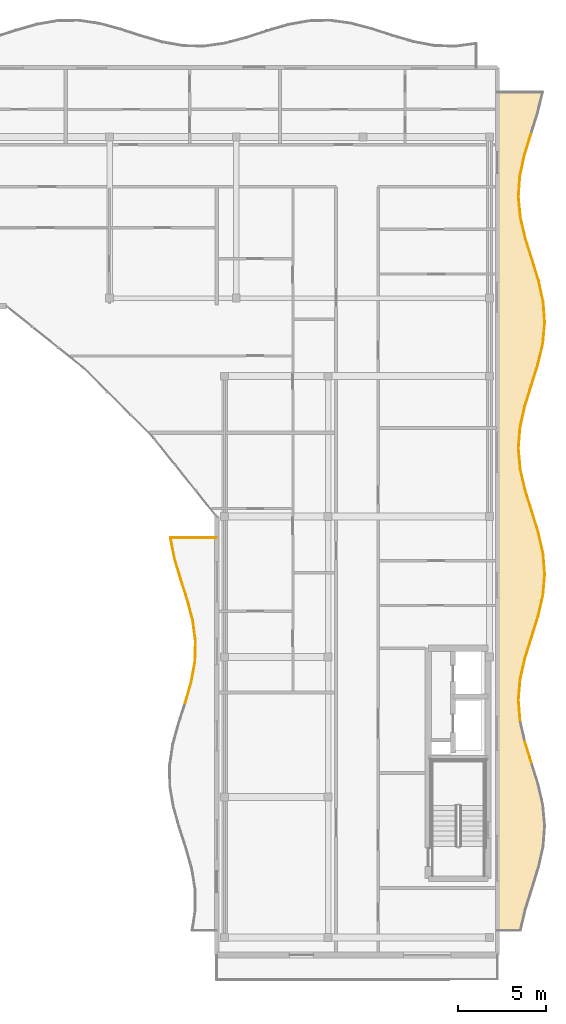
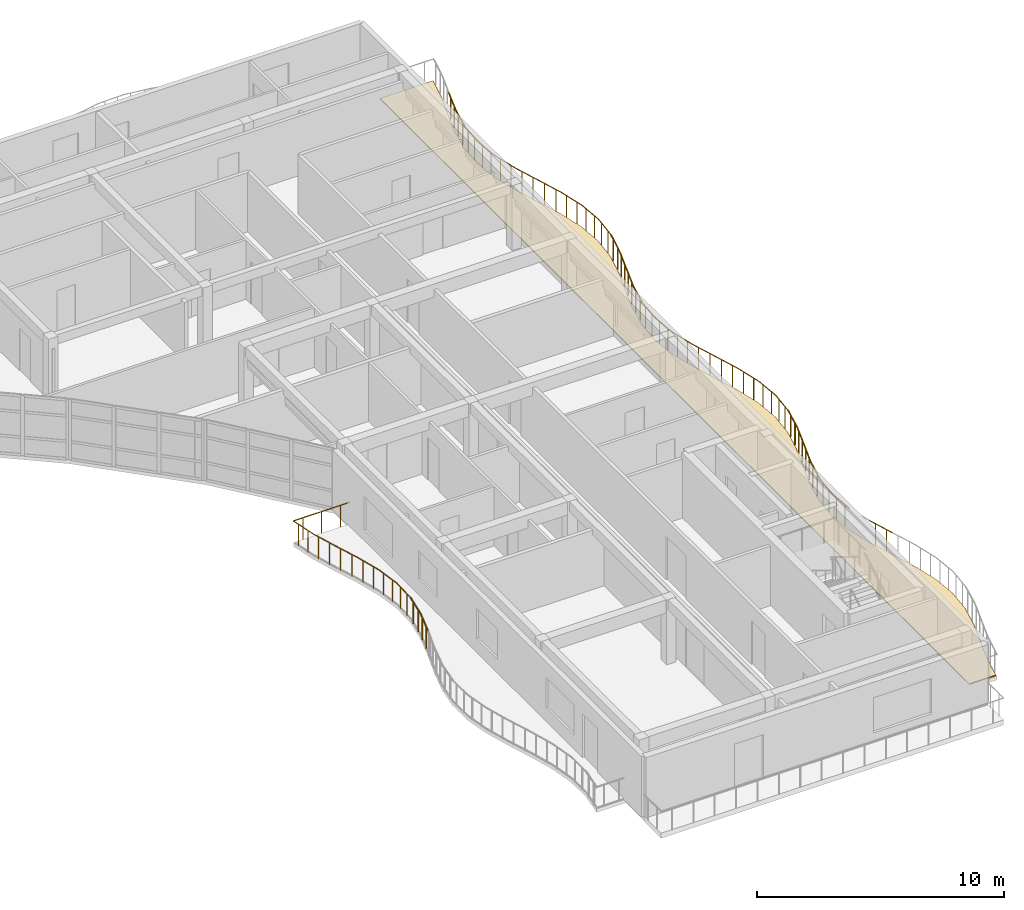
# One storey, part 17 of 18: 38 railings, 1 covering.
"""IFC4 building model written with IfcOpenShell, lengths in metres."""

from ifc_helpers import new_model, si_unit, direction, frame, origin, origin_2d, place, context, subcontext, project, spatial, polyline, circle, outline, extrude, material, layer, layer_set, type_object, element, save


model = new_model("IFC4")

# Units and contexts
model_context = context("Model", 3, precision=1e-05, world=origin(), true_north=direction((0.0, 1.0)))
body_context = subcontext(model_context, "Body", "Model", "MODEL_VIEW")
ifc_project = project(units=[si_unit("LENGTHUNIT", "METRE"), si_unit("AREAUNIT", "SQUARE_METRE"), si_unit("VOLUMEUNIT", "CUBIC_METRE"), si_unit("PLANEANGLEUNIT", "RADIAN"), si_unit("MASSUNIT", "GRAM", prefix="KILO")], contexts=[model_context])

# Site, building, storey
site_placement = place(None, origin())
site = spatial("IfcSite", under=ifc_project, at=site_placement, CompositionType="ELEMENT")
building_placement = place(site_placement, origin())
building = spatial("IfcBuilding", under=site, at=building_placement, Name="Keldmere Railside Commons", CompositionType="ELEMENT")
storey_placement = place(building_placement, frame((0.0, 0.0, 39.360107421875)))
storey = spatial("IfcBuildingStorey", under=building, at=storey_placement, Name="L12", CompositionType="ELEMENT", Elevation=39.360107421875)

# Railings
ifc_material_1 = material(Name="Steel F-24 (S235)", Category="steel")
railing_type = type_object("IfcRailingType", Name="Balcony & Terrace Steel Balustrade 1100", PredefinedType="BALUSTRADE", material=ifc_material_1)
railing_1_placement = place(storey_placement, frame((166.199462890625, 77.368408203125, 0.0)))
element("IfcRailing", 1, at=railing_1_placement, inside=storey, type_object=railing_type, Name="GR-1 GRD-L12-4587", PredefinedType="BALUSTRADE", context=body_context, shape_type="SweptSolid", body=[
    extrude(circle(Radius=0.02392578125, at=origin_2d()), frame((0.0, 0.0, 1.076171875), z_axis=(0.278816111344, 0.960344509046, 0.0), x_axis=(-0.960344509046, 0.278816111344, 0.0)), (0.0, 0.0, 1.0), 1.2275390625),
    extrude(circle(Radius=0.02099609375, at=origin_2d()), frame((0.08544921875, 0.294677734375, 0.0)), (0.0, 0.0, 1.0), 1.048095703125),
    extrude(circle(Radius=0.02099609375, at=origin_2d()), frame((0.2568359375, 0.88427734375, 0.0)), (0.0, 0.0, 1.0), 1.048095703125),
])
railing_2_placement = place(storey_placement, frame((166.541748046875, 78.54736328125, 0.0)))
element("IfcRailing", 2, at=railing_2_placement, inside=storey, type_object=railing_type, Name="GR-1 GRD-L12-4588", PredefinedType="BALUSTRADE", context=body_context, shape_type="SweptSolid", body=[
    extrude(circle(Radius=0.02392578125, at=origin_2d()), frame((0.0, 0.0, 1.076171875), z_axis=(0.179279839473, 0.983798119107, 0.0), x_axis=(-0.983798119107, 0.179279839473, 0.0)), (0.0, 0.0, 1.0), 1.198486328125),
    extrude(circle(Radius=0.02099609375, at=origin_2d()), frame((0.0537109375, 0.294677734375, 0.0)), (0.0, 0.0, 1.0), 1.048095703125),
    extrude(circle(Radius=0.02099609375, at=origin_2d()), frame((0.1611328125, 0.88427734375, 0.0)), (0.0, 0.0, 1.0), 1.048095703125),
])
railing_3_placement = place(storey_placement, frame((166.756591796875, 79.726318359375, 0.0)))
element("IfcRailing", 3, at=railing_3_placement, inside=storey, type_object=railing_type, Name="GR-1 GRD-L12-4589", PredefinedType="BALUSTRADE", context=body_context, shape_type="SweptSolid", body=[
    extrude(circle(Radius=0.02392578125, at=origin_2d()), frame((0.0, 0.0, 1.076171875), z_axis=(0.027324645435, 0.999626612167, 0.0), x_axis=(-0.999626612167, 0.027324645435, 0.0)), (0.0, 0.0, 1.0), 1.179443359375),
    extrude(circle(Radius=0.02099609375, at=origin_2d()), frame((0.008056640625, 0.294677734375, 0.0)), (0.0, 0.0, 1.0), 1.048095703125),
    extrude(circle(Radius=0.02099609375, at=origin_2d()), frame((0.024169921875, 0.88427734375, 0.0)), (0.0, 0.0, 1.0), 1.048095703125),
])
railing_4_placement = place(storey_placement, frame((166.788818359375, 80.9052734375, 0.0)))
element("IfcRailing", 4, at=railing_4_placement, inside=storey, type_object=railing_type, Name="GR-1 GRD-L12-4590", PredefinedType="BALUSTRADE", context=body_context, shape_type="SweptSolid", body=[
    extrude(circle(Radius=0.02392578125, at=origin_2d()), frame((0.0, 0.0, 1.076171875), z_axis=(-0.13380350772, 0.991007881564, 0.0), x_axis=(-0.991007881564, -0.13380350772, 0.0)), (0.0, 0.0, 1.0), 1.189697265625),
    extrude(circle(Radius=0.02099609375, at=origin_2d()), frame((-0.039794921875, 0.294677734375, 0.0)), (0.0, 0.0, 1.0), 1.048095703125),
    extrude(circle(Radius=0.02099609375, at=origin_2d()), frame((-0.119384765625, 0.88427734375, 0.0)), (0.0, 0.0, 1.0), 1.048095703125),
])
railing_5_placement = place(storey_placement, frame((166.629638671875, 82.084228515625, 0.0)))
element("IfcRailing", 5, at=railing_5_placement, inside=storey, type_object=railing_type, Name="GR-1 GRD-L12-4591", PredefinedType="BALUSTRADE", context=body_context, shape_type="SweptSolid", body=[
    extrude(circle(Radius=0.02392578125, at=origin_2d()), frame((0.0, 0.0, 1.076171875), z_axis=(-0.253595933954, 0.967310240968, 0.0), x_axis=(-0.967310240968, -0.253595933954, 0.0)), (0.0, 0.0, 1.0), 1.21875),
    extrude(circle(Radius=0.02099609375, at=origin_2d()), frame((-0.0771484375, 0.294677734375, 0.0)), (0.0, 0.0, 1.0), 1.048095703125),
    extrude(circle(Radius=0.02099609375, at=origin_2d()), frame((-0.23193359375, 0.88427734375, 0.0)), (0.0, 0.0, 1.0), 1.048095703125),
])
railing_6_placement = place(storey_placement, frame((166.320556640625, 83.26318359375, 0.0)))
element("IfcRailing", 6, at=railing_6_placement, inside=storey, type_object=railing_type, Name="GR-1 GRD-L12-4592", PredefinedType="BALUSTRADE", context=body_context, shape_type="SweptSolid", body=[
    extrude(circle(Radius=0.02392578125, at=origin_2d()), frame((0.0, 0.0, 1.076171875), z_axis=(-0.306155948031, 0.951981373497, 0.0), x_axis=(-0.951981373497, -0.306155948031, 0.0)), (0.0, 0.0, 1.0), 1.238525390625),
    extrude(circle(Radius=0.02099609375, at=origin_2d()), frame((-0.0947265625, 0.294677734375, 0.0)), (0.0, 0.0, 1.0), 1.048095703125),
    extrude(circle(Radius=0.02099609375, at=origin_2d()), frame((-0.284423828125, 0.88427734375, 0.0)), (0.0, 0.0, 1.0), 1.048095703125),
])
railing_7_placement = place(storey_placement, frame((165.94140625, 84.442138671875, 0.0)))
element("IfcRailing", 7, at=railing_7_placement, inside=storey, type_object=railing_type, Name="GR-1 GRD-L12-4593", PredefinedType="BALUSTRADE", context=body_context, shape_type="SweptSolid", body=[
    extrude(circle(Radius=0.02392578125, at=origin_2d()), frame((0.0, 0.0, 1.076171875), z_axis=(-0.285581301492, 0.958354485688, 0.0), x_axis=(-0.958354485688, -0.285581301492, 0.0)), (0.0, 0.0, 1.0), 1.230224609375),
    extrude(circle(Radius=0.02099609375, at=origin_2d()), frame((-0.087890625, 0.294677734375, 0.0)), (0.0, 0.0, 1.0), 1.048095703125),
    extrude(circle(Radius=0.02099609375, at=origin_2d()), frame((-0.263427734375, 0.88427734375, 0.0)), (0.0, 0.0, 1.0), 1.048095703125),
])
railing_8_placement = place(storey_placement, frame((165.590087890625, 85.62109375, 0.0)))
element("IfcRailing", 8, at=railing_8_placement, inside=storey, type_object=railing_type, Name="GR-1 GRD-L12-4594", PredefinedType="BALUSTRADE", context=body_context, shape_type="SweptSolid", body=[
    extrude(circle(Radius=0.02392578125, at=origin_2d()), frame((0.0, 0.0, 1.076171875), z_axis=(-0.193028273975, 0.981193194762, 0.0), x_axis=(-0.981193194762, -0.193028273975, 0.0)), (0.0, 0.0, 1.0), 1.20166015625),
    extrude(circle(Radius=0.02099609375, at=origin_2d()), frame((-0.05810546875, 0.294677734375, 0.0)), (0.0, 0.0, 1.0), 1.048095703125),
    extrude(circle(Radius=0.02099609375, at=origin_2d()), frame((-0.173828125, 0.88427734375, 0.0)), (0.0, 0.0, 1.0), 1.048095703125),
])
railing_9_placement = place(storey_placement, frame((165.358154296875, 86.800048828125, 0.0)))
element("IfcRailing", 9, at=railing_9_placement, inside=storey, type_object=railing_type, Name="GR-1 GRD-L12-4595", PredefinedType="BALUSTRADE", context=body_context, shape_type="SweptSolid", body=[
    extrude(circle(Radius=0.02392578125, at=origin_2d()), frame((0.0, 0.0, 1.076171875), z_axis=(1.0, 0.0, 0.0), x_axis=(0.0, 1.0, 0.0)), (0.0, 0.0, 1.0), 2.641845703125),
    extrude(circle(Radius=0.02099609375, at=origin_2d()), frame((0.4404296875, 0.0, 0.0)), (0.0, 0.0, 1.0), 1.048095703125),
    extrude(circle(Radius=0.02099609375, at=origin_2d()), frame((1.32080078125, 0.0, 0.0)), (0.0, 0.0, 1.0), 1.048095703125),
    extrude(circle(Radius=0.02099609375, at=origin_2d()), frame((2.20166015625, 0.0, 0.0)), (0.0, 0.0, 1.0), 1.048095703125),
])
railing_10_placement = place(storey_placement, frame((185.93994140625, 73.9599609375, 0.0)))
element("IfcRailing", 10, at=railing_10_placement, inside=storey, type_object=railing_type, Name="GR-1 GRD-L12-4605", PredefinedType="BALUSTRADE", context=body_context, shape_type="SweptSolid", body=[
    extrude(circle(Radius=0.02392578125, at=origin_2d()), frame((0.0, 0.0, 1.076171875), z_axis=(-0.297264148362, 0.95479527968, 0.0), x_axis=(-0.95479527968, -0.297264148362, 0.0)), (0.0, 0.0, 1.0), 1.251708984375),
    extrude(circle(Radius=0.02099609375, at=origin_2d()), frame((-0.093017578125, 0.298828125, 0.0)), (0.0, 0.0, 1.0), 1.048095703125),
    extrude(circle(Radius=0.02099609375, at=origin_2d()), frame((-0.279052734375, 0.896240234375, 0.0)), (0.0, 0.0, 1.0), 1.048095703125),
])
railing_11_placement = place(storey_placement, frame((185.297119140625, 76.35009765625, 0.0)))
element("IfcRailing", 11, at=railing_11_placement, inside=storey, type_object=railing_type, Name="GR-1 GRD-L12-4607", PredefinedType="BALUSTRADE", context=body_context, shape_type="SweptSolid", body=[
    extrude(circle(Radius=0.02392578125, at=origin_2d()), frame((0.0, 0.0, 1.076171875), z_axis=(-0.081056474277, 0.996709510328, 0.0), x_axis=(-0.996709510328, -0.081056474277, 0.0)), (0.0, 0.0, 1.0), 1.19873046875),
    extrude(circle(Radius=0.02099609375, at=origin_2d()), frame((-0.0244140625, 0.298828125, 0.0)), (0.0, 0.0, 1.0), 1.048095703125),
    extrude(circle(Radius=0.02099609375, at=origin_2d()), frame((-0.07275390625, 0.89599609375, 0.0)), (0.0, 0.0, 1.0), 1.048095703125),
])
railing_12_placement = place(storey_placement, frame((185.199951171875, 77.544921875, 0.0)))
element("IfcRailing", 12, at=railing_12_placement, inside=storey, type_object=railing_type, Name="GR-1 GRD-L12-4608", PredefinedType="BALUSTRADE", context=body_context, shape_type="SweptSolid", body=[
    extrude(circle(Radius=0.02392578125, at=origin_2d()), frame((0.0, 0.0, 1.076171875), z_axis=(0.085285677209, 0.996356539228, 0.0), x_axis=(-0.996356539228, 0.085285677209, 0.0)), (0.0, 0.0, 1.0), 1.199462890625),
    extrude(circle(Radius=0.02099609375, at=origin_2d()), frame((0.025634765625, 0.298828125, 0.0)), (0.0, 0.0, 1.0), 1.048095703125),
    extrude(circle(Radius=0.02099609375, at=origin_2d()), frame((0.07666015625, 0.896240234375, 0.0)), (0.0, 0.0, 1.0), 1.048095703125),
])
railing_13_placement = place(storey_placement, frame((185.30224609375, 78.739990234375, 0.0)))
element("IfcRailing", 13, at=railing_13_placement, inside=storey, type_object=railing_type, Name="GR-1 GRD-L12-4609", PredefinedType="BALUSTRADE", context=body_context, shape_type="SweptSolid", body=[
    extrude(circle(Radius=0.02392578125, at=origin_2d()), frame((0.0, 0.0, 1.076171875), z_axis=(0.223797834687, 0.974635587894, 0.0), x_axis=(-0.974635587894, 0.223797834687, 0.0)), (0.0, 0.0, 1.0), 1.22607421875),
    extrude(circle(Radius=0.02099609375, at=origin_2d()), frame((0.068603515625, 0.298828125, 0.0)), (0.0, 0.0, 1.0), 1.048095703125),
    extrude(circle(Radius=0.02099609375, at=origin_2d()), frame((0.205810546875, 0.896240234375, 0.0)), (0.0, 0.0, 1.0), 1.048095703125),
])
railing_14_placement = place(storey_placement, frame((185.57666015625, 79.93505859375, 0.0)))
element("IfcRailing", 14, at=railing_14_placement, inside=storey, type_object=railing_type, Name="GR-1 GRD-L12-4610", PredefinedType="BALUSTRADE", context=body_context, shape_type="SweptSolid", body=[
    extrude(circle(Radius=0.02392578125, at=origin_2d()), frame((0.0, 0.0, 1.076171875), z_axis=(0.298386036557, 0.954445269876, 0.0), x_axis=(-0.954445269876, 0.298386036557, 0.0)), (0.0, 0.0, 1.0), 1.251953125),
    extrude(circle(Radius=0.02099609375, at=origin_2d()), frame((0.09326171875, 0.298828125, 0.0)), (0.0, 0.0, 1.0), 1.048095703125),
    extrude(circle(Radius=0.02099609375, at=origin_2d()), frame((0.2802734375, 0.89599609375, 0.0)), (0.0, 0.0, 1.0), 1.048095703125),
])
railing_15_placement = place(storey_placement, frame((185.9501953125, 81.1298828125, 0.0)))
element("IfcRailing", 15, at=railing_15_placement, inside=storey, type_object=railing_type, Name="GR-1 GRD-L12-4611", PredefinedType="BALUSTRADE", context=body_context, shape_type="SweptSolid", body=[
    extrude(circle(Radius=0.02392578125, at=origin_2d()), frame((0.0, 0.0, 1.076171875), z_axis=(0.298330505018, 0.9544626288, 0.0), x_axis=(-0.9544626288, 0.298330505018, 0.0)), (0.0, 0.0, 1.0), 1.252197265625),
    extrude(circle(Radius=0.02099609375, at=origin_2d()), frame((0.09326171875, 0.298828125, 0.0)), (0.0, 0.0, 1.0), 1.048095703125),
    extrude(circle(Radius=0.02099609375, at=origin_2d()), frame((0.2802734375, 0.896240234375, 0.0)), (0.0, 0.0, 1.0), 1.048095703125),
])
railing_16_placement = place(storey_placement, frame((186.32373046875, 82.324951171875, 0.0)))
element("IfcRailing", 16, at=railing_16_placement, inside=storey, type_object=railing_type, Name="GR-1 GRD-L12-4612", PredefinedType="BALUSTRADE", context=body_context, shape_type="SweptSolid", body=[
    extrude(circle(Radius=0.02392578125, at=origin_2d()), frame((0.0, 0.0, 1.076171875), z_axis=(0.223608686092, 0.974679001264, 0.0), x_axis=(-0.974679001264, 0.223608686092, 0.0)), (0.0, 0.0, 1.0), 1.22607421875),
    extrude(circle(Radius=0.02099609375, at=origin_2d()), frame((0.068603515625, 0.298828125, 0.0)), (0.0, 0.0, 1.0), 1.048095703125),
    extrude(circle(Radius=0.02099609375, at=origin_2d()), frame((0.20556640625, 0.896240234375, 0.0)), (0.0, 0.0, 1.0), 1.048095703125),
])
railing_17_placement = place(storey_placement, frame((186.597900390625, 83.52001953125, 0.0)))
element("IfcRailing", 17, at=railing_17_placement, inside=storey, type_object=railing_type, Name="GR-1 GRD-L12-4613", PredefinedType="BALUSTRADE", context=body_context, shape_type="SweptSolid", body=[
    extrude(circle(Radius=0.02392578125, at=origin_2d()), frame((0.0, 0.0, 1.076171875), z_axis=(0.085083606702, 0.996373815328, 0.0), x_axis=(-0.996373815328, 0.085083606702, 0.0)), (0.0, 0.0, 1.0), 1.199462890625),
    extrude(circle(Radius=0.02099609375, at=origin_2d()), frame((0.025390625, 0.298828125, 0.0)), (0.0, 0.0, 1.0), 1.048095703125),
    extrude(circle(Radius=0.02099609375, at=origin_2d()), frame((0.07666015625, 0.896240234375, 0.0)), (0.0, 0.0, 1.0), 1.048095703125),
])
railing_18_placement = place(storey_placement, frame((186.699951171875, 84.715087890625, 0.0)))
element("IfcRailing", 18, at=railing_18_placement, inside=storey, type_object=railing_type, Name="GR-1 GRD-L12-4614", PredefinedType="BALUSTRADE", context=body_context, shape_type="SweptSolid", body=[
    extrude(circle(Radius=0.02392578125, at=origin_2d()), frame((0.0, 0.0, 1.076171875), z_axis=(-0.081056474277, 0.996709510328, 0.0), x_axis=(-0.996709510328, -0.081056474277, 0.0)), (0.0, 0.0, 1.0), 1.19873046875),
    extrude(circle(Radius=0.02099609375, at=origin_2d()), frame((-0.0244140625, 0.298828125, 0.0)), (0.0, 0.0, 1.0), 1.048095703125),
    extrude(circle(Radius=0.02099609375, at=origin_2d()), frame((-0.07275390625, 0.89599609375, 0.0)), (0.0, 0.0, 1.0), 1.048095703125),
])
railing_19_placement = place(storey_placement, frame((186.602783203125, 85.909912109375, 0.0)))
element("IfcRailing", 19, at=railing_19_placement, inside=storey, type_object=railing_type, Name="GR-1 GRD-L12-4615", PredefinedType="BALUSTRADE", context=body_context, shape_type="SweptSolid", body=[
    extrude(circle(Radius=0.02392578125, at=origin_2d()), frame((0.0, 0.0, 1.076171875), z_axis=(-0.221147461229, 0.975240380825, 0.0), x_axis=(-0.975240380825, -0.221147461229, 0.0)), (0.0, 0.0, 1.0), 1.225341796875),
    extrude(circle(Radius=0.02099609375, at=origin_2d()), frame((-0.06787109375, 0.298828125, 0.0)), (0.0, 0.0, 1.0), 1.048095703125),
    extrude(circle(Radius=0.02099609375, at=origin_2d()), frame((-0.203125, 0.896240234375, 0.0)), (0.0, 0.0, 1.0), 1.048095703125),
])
railing_20_placement = place(storey_placement, frame((186.331787109375, 87.10498046875, 0.0)))
element("IfcRailing", 20, at=railing_20_placement, inside=storey, type_object=railing_type, Name="GR-1 GRD-L12-4616", PredefinedType="BALUSTRADE", context=body_context, shape_type="SweptSolid", body=[
    extrude(circle(Radius=0.02392578125, at=origin_2d()), frame((0.0, 0.0, 1.076171875), z_axis=(-0.297264148362, 0.95479527968, 0.0), x_axis=(-0.95479527968, -0.297264148362, 0.0)), (0.0, 0.0, 1.0), 1.251708984375),
    extrude(circle(Radius=0.02099609375, at=origin_2d()), frame((-0.093017578125, 0.298828125, 0.0)), (0.0, 0.0, 1.0), 1.048095703125),
    extrude(circle(Radius=0.02099609375, at=origin_2d()), frame((-0.279052734375, 0.896240234375, 0.0)), (0.0, 0.0, 1.0), 1.048095703125),
])
railing_21_placement = place(storey_placement, frame((185.959716796875, 88.300048828125, 0.0)))
element("IfcRailing", 21, at=railing_21_placement, inside=storey, type_object=railing_type, Name="GR-1 GRD-L12-4617", PredefinedType="BALUSTRADE", context=body_context, shape_type="SweptSolid", body=[
    extrude(circle(Radius=0.02392578125, at=origin_2d()), frame((0.0, 0.0, 1.076171875), z_axis=(-0.299395745708, 0.954129020338, 0.0), x_axis=(-0.954129020338, -0.299395745708, 0.0)), (0.0, 0.0, 1.0), 1.25244140625),
    extrude(circle(Radius=0.02099609375, at=origin_2d()), frame((-0.09375, 0.298828125, 0.0)), (0.0, 0.0, 1.0), 1.048095703125),
    extrude(circle(Radius=0.02099609375, at=origin_2d()), frame((-0.28125, 0.896240234375, 0.0)), (0.0, 0.0, 1.0), 1.048095703125),
])
railing_22_placement = place(storey_placement, frame((185.584716796875, 89.4951171875, 0.0)))
element("IfcRailing", 22, at=railing_22_placement, inside=storey, type_object=railing_type, Name="GR-1 GRD-L12-4618", PredefinedType="BALUSTRADE", context=body_context, shape_type="SweptSolid", body=[
    extrude(circle(Radius=0.02392578125, at=origin_2d()), frame((0.0, 0.0, 1.076171875), z_axis=(-0.226487148912, 0.974014153582, 0.0), x_axis=(-0.974014153582, -0.226487148912, 0.0)), (0.0, 0.0, 1.0), 1.226806640625),
    extrude(circle(Radius=0.02099609375, at=origin_2d()), frame((-0.0693359375, 0.298828125, 0.0)), (0.0, 0.0, 1.0), 1.048095703125),
    extrude(circle(Radius=0.02099609375, at=origin_2d()), frame((-0.20849609375, 0.89599609375, 0.0)), (0.0, 0.0, 1.0), 1.048095703125),
])
railing_23_placement = place(storey_placement, frame((185.306884765625, 90.68994140625, 0.0)))
element("IfcRailing", 23, at=railing_23_placement, inside=storey, type_object=railing_type, Name="GR-1 GRD-L12-4619", PredefinedType="BALUSTRADE", context=body_context, shape_type="SweptSolid", body=[
    extrude(circle(Radius=0.02392578125, at=origin_2d()), frame((0.0, 0.0, 1.076171875), z_axis=(-0.088921123423, 0.99603867084, 0.0), x_axis=(-0.99603867084, -0.088921123423, 0.0)), (0.0, 0.0, 1.0), 1.19970703125),
    extrude(circle(Radius=0.02099609375, at=origin_2d()), frame((-0.026611328125, 0.298828125, 0.0)), (0.0, 0.0, 1.0), 1.048095703125),
    extrude(circle(Radius=0.02099609375, at=origin_2d()), frame((-0.080078125, 0.896240234375, 0.0)), (0.0, 0.0, 1.0), 1.048095703125),
])
railing_24_placement = place(storey_placement, frame((185.2001953125, 91.885009765625, 0.0)))
element("IfcRailing", 24, at=railing_24_placement, inside=storey, type_object=railing_type, Name="GR-1 GRD-L12-4620", PredefinedType="BALUSTRADE", context=body_context, shape_type="SweptSolid", body=[
    extrude(circle(Radius=0.02392578125, at=origin_2d()), frame((0.0, 0.0, 1.076171875), z_axis=(0.076992435931, 0.997031676934, 0.0), x_axis=(-0.997031676934, 0.076992435931, 0.0)), (0.0, 0.0, 1.0), 1.19873046875),
    extrude(circle(Radius=0.02099609375, at=origin_2d()), frame((0.02294921875, 0.298828125, 0.0)), (0.0, 0.0, 1.0), 1.048095703125),
    extrude(circle(Radius=0.02099609375, at=origin_2d()), frame((0.0693359375, 0.896240234375, 0.0)), (0.0, 0.0, 1.0), 1.048095703125),
])
railing_25_placement = place(storey_placement, frame((185.29248046875, 93.080078125, 0.0)))
element("IfcRailing", 25, at=railing_25_placement, inside=storey, type_object=railing_type, Name="GR-1 GRD-L12-4621", PredefinedType="BALUSTRADE", context=body_context, shape_type="SweptSolid", body=[
    extrude(circle(Radius=0.02392578125, at=origin_2d()), frame((0.0, 0.0, 1.076171875), z_axis=(0.218344808836, 0.975871684421, 0.0), x_axis=(-0.975871684421, 0.218344808836, 0.0)), (0.0, 0.0, 1.0), 1.224365234375),
    extrude(circle(Radius=0.02099609375, at=origin_2d()), frame((0.06689453125, 0.298828125, 0.0)), (0.0, 0.0, 1.0), 1.048095703125),
    extrude(circle(Radius=0.02099609375, at=origin_2d()), frame((0.200439453125, 0.89599609375, 0.0)), (0.0, 0.0, 1.0), 1.048095703125),
])
railing_26_placement = place(storey_placement, frame((185.559814453125, 94.27490234375, 0.0)))
element("IfcRailing", 26, at=railing_26_placement, inside=storey, type_object=railing_type, Name="GR-1 GRD-L12-4622", PredefinedType="BALUSTRADE", context=body_context, shape_type="SweptSolid", body=[
    extrude(circle(Radius=0.02392578125, at=origin_2d()), frame((0.0, 0.0, 1.076171875), z_axis=(0.296374667099, 0.95507175474, 0.0), x_axis=(-0.95507175474, 0.296374667099, 0.0)), (0.0, 0.0, 1.0), 1.251220703125),
    extrude(circle(Radius=0.02099609375, at=origin_2d()), frame((0.0927734375, 0.298828125, 0.0)), (0.0, 0.0, 1.0), 1.048095703125),
    extrude(circle(Radius=0.02099609375, at=origin_2d()), frame((0.278076171875, 0.896240234375, 0.0)), (0.0, 0.0, 1.0), 1.048095703125),
])
railing_27_placement = place(storey_placement, frame((185.9306640625, 95.469970703125, 0.0)))
element("IfcRailing", 27, at=railing_27_placement, inside=storey, type_object=railing_type, Name="GR-1 GRD-L12-4623", PredefinedType="BALUSTRADE", context=body_context, shape_type="SweptSolid", body=[
    extrude(circle(Radius=0.02392578125, at=origin_2d()), frame((0.0, 0.0, 1.076171875), z_axis=(0.300105284991, 0.953906084434, 0.0), x_axis=(-0.953906084434, 0.300105284991, 0.0)), (0.0, 0.0, 1.0), 1.2529296875),
    extrude(circle(Radius=0.02099609375, at=origin_2d()), frame((0.093994140625, 0.298828125, 0.0)), (0.0, 0.0, 1.0), 1.048095703125),
    extrude(circle(Radius=0.02099609375, at=origin_2d()), frame((0.281982421875, 0.896240234375, 0.0)), (0.0, 0.0, 1.0), 1.048095703125),
])
railing_28_placement = place(storey_placement, frame((186.306640625, 96.6650390625, 0.0)))
element("IfcRailing", 28, at=railing_28_placement, inside=storey, type_object=railing_type, Name="GR-1 GRD-L12-4624", PredefinedType="BALUSTRADE", context=body_context, shape_type="SweptSolid", body=[
    extrude(circle(Radius=0.02392578125, at=origin_2d()), frame((0.0, 0.0, 1.076171875), z_axis=(0.229083668897, 0.973406735463, 0.0), x_axis=(-0.973406735463, 0.229083668897, 0.0)), (0.0, 0.0, 1.0), 1.227783203125),
    extrude(circle(Radius=0.02099609375, at=origin_2d()), frame((0.0703125, 0.298828125, 0.0)), (0.0, 0.0, 1.0), 1.048095703125),
    extrude(circle(Radius=0.02099609375, at=origin_2d()), frame((0.2109375, 0.896240234375, 0.0)), (0.0, 0.0, 1.0), 1.048095703125),
])
railing_29_placement = place(storey_placement, frame((186.587890625, 97.860107421875, 0.0)))
element("IfcRailing", 29, at=railing_29_placement, inside=storey, type_object=railing_type, Name="GR-1 GRD-L12-4625", PredefinedType="BALUSTRADE", context=body_context, shape_type="SweptSolid", body=[
    extrude(circle(Radius=0.02392578125, at=origin_2d()), frame((0.0, 0.0, 1.076171875), z_axis=(0.09317685022, 0.995649574189, 0.0), x_axis=(-0.995649574189, 0.09317685022, 0.0)), (0.0, 0.0, 1.0), 1.199951171875),
    extrude(circle(Radius=0.02099609375, at=origin_2d()), frame((0.02783203125, 0.298828125, 0.0)), (0.0, 0.0, 1.0), 1.048095703125),
    extrude(circle(Radius=0.02099609375, at=origin_2d()), frame((0.083984375, 0.89599609375, 0.0)), (0.0, 0.0, 1.0), 1.048095703125),
])
railing_30_placement = place(storey_placement, frame((186.69970703125, 99.054931640625, 0.0)))
element("IfcRailing", 30, at=railing_30_placement, inside=storey, type_object=railing_type, Name="GR-1 GRD-L12-4626", PredefinedType="BALUSTRADE", context=body_context, shape_type="SweptSolid", body=[
    extrude(circle(Radius=0.02392578125, at=origin_2d()), frame((0.0, 0.0, 1.076171875), z_axis=(-0.073143695015, 0.997321412524, 0.0), x_axis=(-0.997321412524, -0.073143695015, 0.0)), (0.0, 0.0, 1.0), 1.1982421875),
    extrude(circle(Radius=0.02099609375, at=origin_2d()), frame((-0.02197265625, 0.298828125, 0.0)), (0.0, 0.0, 1.0), 1.048095703125),
    extrude(circle(Radius=0.02099609375, at=origin_2d()), frame((-0.065673828125, 0.896240234375, 0.0)), (0.0, 0.0, 1.0), 1.048095703125),
])
railing_31_placement = place(storey_placement, frame((186.612060546875, 100.25, 0.0)))
element("IfcRailing", 31, at=railing_31_placement, inside=storey, type_object=railing_type, Name="GR-1 GRD-L12-4627", PredefinedType="BALUSTRADE", context=body_context, shape_type="SweptSolid", body=[
    extrude(circle(Radius=0.02392578125, at=origin_2d()), frame((0.0, 0.0, 1.076171875), z_axis=(-0.215261375242, 0.97655647063, 0.0), x_axis=(-0.97655647063, -0.215261375242, 0.0)), (0.0, 0.0, 1.0), 1.223876953125),
    extrude(circle(Radius=0.02099609375, at=origin_2d()), frame((-0.06591796875, 0.298828125, 0.0)), (0.0, 0.0, 1.0), 1.048095703125),
    extrude(circle(Radius=0.02099609375, at=origin_2d()), frame((-0.197509765625, 0.896240234375, 0.0)), (0.0, 0.0, 1.0), 1.048095703125),
])
railing_32_placement = place(storey_placement, frame((186.3486328125, 101.445068359375, 0.0)))
element("IfcRailing", 32, at=railing_32_placement, inside=storey, type_object=railing_type, Name="GR-1 GRD-L12-4628", PredefinedType="BALUSTRADE", context=body_context, shape_type="SweptSolid", body=[
    extrude(circle(Radius=0.02392578125, at=origin_2d()), frame((0.0, 0.0, 1.076171875), z_axis=(-0.29536134781, 0.955385615456, 0.0), x_axis=(-0.955385615456, -0.29536134781, 0.0)), (0.0, 0.0, 1.0), 1.250732421875),
    extrude(circle(Radius=0.02099609375, at=origin_2d()), frame((-0.09228515625, 0.298828125, 0.0)), (0.0, 0.0, 1.0), 1.048095703125),
    extrude(circle(Radius=0.02099609375, at=origin_2d()), frame((-0.277099609375, 0.89599609375, 0.0)), (0.0, 0.0, 1.0), 1.048095703125),
])
railing_33_placement = place(storey_placement, frame((185.979248046875, 102.639892578125, 0.0)))
element("IfcRailing", 33, at=railing_33_placement, inside=storey, type_object=railing_type, Name="GR-1 GRD-L12-4629", PredefinedType="BALUSTRADE", context=body_context, shape_type="SweptSolid", body=[
    extrude(circle(Radius=0.02392578125, at=origin_2d()), frame((0.0, 0.0, 1.076171875), z_axis=(-0.300991509017, 0.95362681983, 0.0), x_axis=(-0.95362681983, -0.300991509017, 0.0)), (0.0, 0.0, 1.0), 1.253173828125),
    extrude(circle(Radius=0.02099609375, at=origin_2d()), frame((-0.09423828125, 0.298828125, 0.0)), (0.0, 0.0, 1.0), 1.048095703125),
    extrude(circle(Radius=0.02099609375, at=origin_2d()), frame((-0.282958984375, 0.896240234375, 0.0)), (0.0, 0.0, 1.0), 1.048095703125),
])
railing_34_placement = place(storey_placement, frame((185.60205078125, 103.8349609375, 0.0)))
element("IfcRailing", 34, at=railing_34_placement, inside=storey, type_object=railing_type, Name="GR-1 GRD-L12-4630", PredefinedType="BALUSTRADE", context=body_context, shape_type="SweptSolid", body=[
    extrude(circle(Radius=0.02392578125, at=origin_2d()), frame((0.0, 0.0, 1.076171875), z_axis=(-0.23171903814, 0.972782754454, 0.0), x_axis=(-0.972782754454, -0.23171903814, 0.0)), (0.0, 0.0, 1.0), 1.228515625),
    extrude(circle(Radius=0.02099609375, at=origin_2d()), frame((-0.0712890625, 0.298828125, 0.0)), (0.0, 0.0, 1.0), 1.048095703125),
    extrude(circle(Radius=0.02099609375, at=origin_2d()), frame((-0.21337890625, 0.896240234375, 0.0)), (0.0, 0.0, 1.0), 1.048095703125),
])
railing_35_placement = place(storey_placement, frame((185.3173828125, 105.030029296875, 0.0)))
element("IfcRailing", 35, at=railing_35_placement, inside=storey, type_object=railing_type, Name="GR-1 GRD-L12-4631", PredefinedType="BALUSTRADE", context=body_context, shape_type="SweptSolid", body=[
    extrude(circle(Radius=0.02392578125, at=origin_2d()), frame((0.0, 0.0, 1.076171875), z_axis=(-0.097188386036, 0.995266003448, 0.0), x_axis=(-0.995266003448, -0.097188386036, 0.0)), (0.0, 0.0, 1.0), 1.20068359375),
    extrude(circle(Radius=0.02099609375, at=origin_2d()), frame((-0.029296875, 0.298828125, 0.0)), (0.0, 0.0, 1.0), 1.048095703125),
    extrude(circle(Radius=0.02099609375, at=origin_2d()), frame((-0.08740234375, 0.896240234375, 0.0)), (0.0, 0.0, 1.0), 1.048095703125),
])
railing_36_placement = place(storey_placement, frame((185.20068359375, 106.22509765625, 0.0)))
element("IfcRailing", 36, at=railing_36_placement, inside=storey, type_object=railing_type, Name="GR-1 GRD-L12-4632", PredefinedType="BALUSTRADE", context=body_context, shape_type="SweptSolid", body=[
    extrude(circle(Radius=0.02392578125, at=origin_2d()), frame((0.0, 0.0, 1.076171875), z_axis=(0.068900033981, 0.997623568946, 0.0), x_axis=(-0.997623568946, 0.068900033981, 0.0)), (0.0, 0.0, 1.0), 1.19775390625),
    extrude(circle(Radius=0.02099609375, at=origin_2d()), frame((0.0205078125, 0.298828125, 0.0)), (0.0, 0.0, 1.0), 1.048095703125),
    extrude(circle(Radius=0.02099609375, at=origin_2d()), frame((0.06201171875, 0.89599609375, 0.0)), (0.0, 0.0, 1.0), 1.048095703125),
])
railing_37_placement = place(storey_placement, frame((185.283203125, 107.419921875, 0.0)))
element("IfcRailing", 37, at=railing_37_placement, inside=storey, type_object=railing_type, Name="GR-1 GRD-L12-4633", PredefinedType="BALUSTRADE", context=body_context, shape_type="SweptSolid", body=[
    extrude(circle(Radius=0.02392578125, at=origin_2d()), frame((0.0, 0.0, 1.076171875), z_axis=(0.212595390804, 0.977140317359, 0.0), x_axis=(-0.977140317359, 0.212595390804, 0.0)), (0.0, 0.0, 1.0), 1.22314453125),
    extrude(circle(Radius=0.02099609375, at=origin_2d()), frame((0.06494140625, 0.298828125, 0.0)), (0.0, 0.0, 1.0), 1.048095703125),
    extrude(circle(Radius=0.02099609375, at=origin_2d()), frame((0.195068359375, 0.896240234375, 0.0)), (0.0, 0.0, 1.0), 1.048095703125),
])
railing_38_placement = place(storey_placement, frame((185.543212890625, 108.614990234375, 0.0)))
element("IfcRailing", 38, at=railing_38_placement, inside=storey, type_object=railing_type, Name="GR-1 GRD-L12-4634", PredefinedType="BALUSTRADE", context=body_context, shape_type="SweptSolid", body=[
    extrude(circle(Radius=0.02392578125, at=origin_2d()), frame((0.0, 0.0, 1.076171875), z_axis=(0.294058407065, 0.955787451913, 0.0), x_axis=(-0.955787451913, 0.294058407065, 0.0)), (0.0, 0.0, 1.0), 1.250244140625),
    extrude(circle(Radius=0.02099609375, at=origin_2d()), frame((0.091796875, 0.298828125, 0.0)), (0.0, 0.0, 1.0), 1.048095703125),
    extrude(circle(Radius=0.02099609375, at=origin_2d()), frame((0.27587890625, 0.896240234375, 0.0)), (0.0, 0.0, 1.0), 1.048095703125),
])

# Covering
ifc_material_2 = material(Name="White Precast Concrete C35/45", Category="concrete")
ifc_layer = layer(ifc_material_2, 0.044921875, Name="White Architectural Balcony Ribbon Cladding 45")
ifc_layer_set = layer_set([ifc_layer], Name="White Precast Concrete C35/45")
covering_type = type_object("IfcCoveringType", Name="White Architectural Balcony Ribbon Cladding 45", PredefinedType="FLOORING", material=ifc_layer_set)
covering_placement = place(storey_placement, origin())
element("IfcCovering", 39, at=covering_placement, inside=storey, type_object=covering_type, Name="CLG-WB A L12 CE White Balcony Ribbon", PredefinedType="FLOORING", context=body_context, shape_type="SweptSolid", body=[
    extrude(outline(polyline([(185.554931640625, 65.604248046875), (185.5556640625, 65.60693359375), (185.931640625, 66.802001953125), (186.302001953125, 67.995361328125), (186.56787109375, 69.185791015625), (186.659912109375, 70.374755859375), (186.55322265625, 71.563720703125), (186.2763671875, 72.75439453125), (185.90185546875, 73.947998046875), (185.90185546875, 73.947998046875), (185.529541015625, 75.14306640625), (185.52880859375, 75.146240234375), (185.258056640625, 76.34130859375), (185.257080078125, 76.3466796875), (185.16015625, 77.541748046875), (185.159912109375, 77.545166015625), (185.16015625, 77.54833984375), (185.26220703125, 78.743408203125), (185.26318359375, 78.7490234375), (185.53759765625, 79.944091796875), (185.538330078125, 79.947021484375), (185.912109375, 81.141845703125), (186.28515625, 82.33544921875), (186.558349609375, 83.526123046875), (186.659912109375, 84.715087890625), (186.56298828125, 85.90380859375), (186.293212890625, 87.094482421875), (185.92138671875, 88.2880859375), (185.546630859375, 89.48291015625), (185.5458984375, 89.48583984375), (185.26806640625, 90.680908203125), (185.26708984375, 90.686279296875), (185.160400390625, 91.88134765625), (185.16015625, 91.884765625), (185.16015625, 91.88818359375), (185.252685546875, 93.0830078125), (185.253662109375, 93.088623046875), (185.520751953125, 94.28369140625), (185.521484375, 94.286865234375), (185.892333984375, 95.48193359375), (185.892333984375, 95.48193359375), (186.26806640625, 96.675537109375), (186.54833984375, 97.866455078125), (186.659423828125, 99.055419921875), (186.572509765625, 100.244140625), (186.309814453125, 101.434814453125), (185.94091796875, 102.628173828125), (185.56396484375, 103.822998046875), (185.56298828125, 103.82568359375), (185.2783203125, 105.020751953125), (185.277587890625, 105.026123046875), (185.160888671875, 106.22119140625), (185.160888671875, 106.224365234375), (185.160888671875, 106.227783203125), (185.243408203125, 107.4228515625), (185.244140625, 107.428466796875), (185.50390625, 108.62353515625), (185.5048828125, 108.626708984375), (185.872802734375, 109.82177734375), (185.872802734375, 109.822021484375), (186.25048828125, 111.015625), (186.526611328125, 112.159912109375), (184.0400390625, 112.159912109375), (184.0400390625, 64.43994140625), (185.280517578125, 64.43994140625), (185.554931640625, 65.604248046875)])), origin(), (0.0, 0.0, 1.0), 0.044921875),
])

save(model, "model.ifc")
